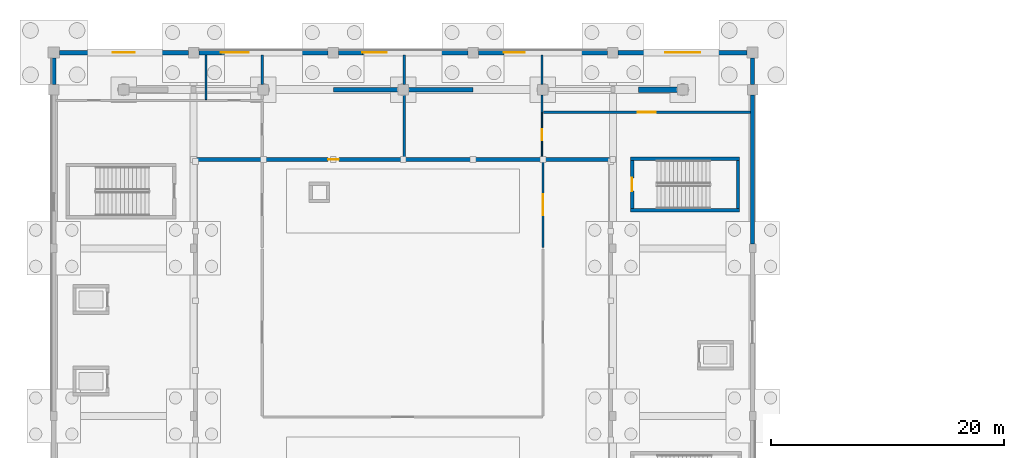
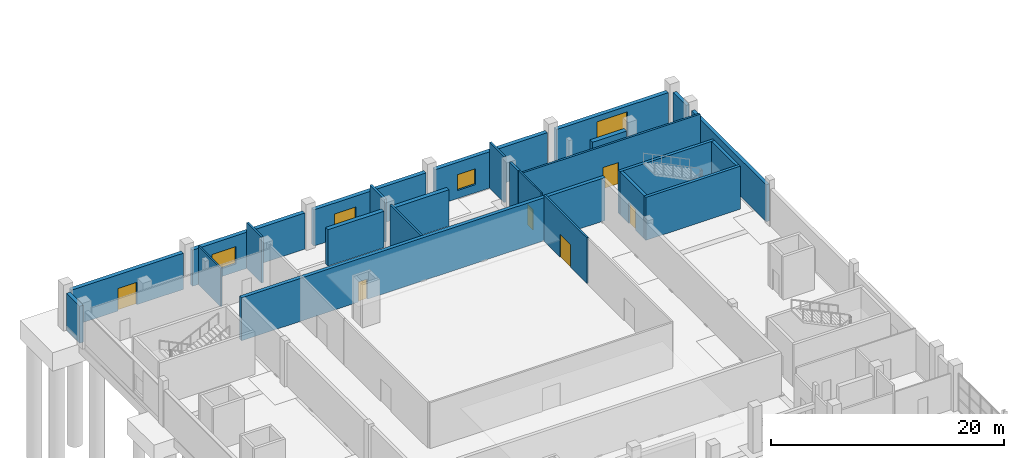
# One storey, part 61 of 82: 25 walls, 7 doors, 3 windows, 10 openings.
"""IFC4 building model written with IfcOpenShell, lengths in metres."""

import ifcopenshell
import ifcopenshell.guid

model = None  # the IFC model being written
_history = None  # IfcOwnerHistory: only IFC2X3 demands one
_inside = {}  # id of a spatial element -> (the spatial element, [elements in it])
_under = {}  # id of a project, library or spatial element -> (it, [spatial elements below it])
_declared = {}  # id of a project -> (the project, [libraries it declares])
_typed = {}  # id of a type object -> (the type object, [elements of that type])
_made_of = {}  # id of a material, layer set ... -> (it, [elements and type objects made of it])


def new_model(schema):
    """Start an empty IFC model of exactly this schema.

    Asked for "IFC4X3", IfcOpenShell would pick the latest addendum, in which some entities
    have other attributes; the version numbers below select the first issue.
    IFC2X3 requires an IfcOwnerHistory on every rooted entity: one is made here for all.
    """
    global model, _history
    if schema == "IFC4X3":
        model = ifcopenshell.file(schema_version=(4, 3, 0, 0))
    else:
        model = ifcopenshell.file(schema=schema)
    _inside.clear()
    _under.clear()
    _declared.clear()
    _typed.clear()
    _made_of.clear()
    _history = None
    if model.schema == "IFC2X3":
        org = make("IfcOrganization", Name="unknown")
        user = make(
            "IfcPersonAndOrganization",
            ThePerson=make("IfcPerson", FamilyName="unknown"),
            TheOrganization=org,
        )
        app = make(
            "IfcApplication",
            ApplicationDeveloper=org,
            Version="unknown",
            ApplicationFullName="unknown",
            ApplicationIdentifier="unknown",
        )
        _history = make(
            "IfcOwnerHistory",
            OwningUser=user,
            OwningApplication=app,
            ChangeAction="ADDED",
            CreationDate=0,
        )
    return model


def make(cls, **values):
    """One entity of the class cls with the attributes given. An attribute that is None is left unset."""
    return model.create_entity(
        cls, **{name: value for name, value in values.items() if value is not None}
    )


def rooted(cls, **values):
    """An entity with a GlobalId (a new one), such as an element, a storey or a relation."""
    return make(cls, GlobalId=ifcopenshell.guid.new(), OwnerHistory=_history, **values)


def si_unit(unit_type, name, prefix=None):
    """IfcSIUnit, for example si_unit("LENGTHUNIT", "METRE", prefix="MILLI")."""
    return make("IfcSIUnit", UnitType=unit_type, Prefix=prefix, Name=name)


def assignment(units):
    """IfcUnitAssignment: the units of a project."""
    return None if units is None else make("IfcUnitAssignment", Units=units)


def point(xyz):
    """IfcCartesianPoint."""
    return None if xyz is None else make("IfcCartesianPoint", Coordinates=xyz)


def direction(xyz):
    """IfcDirection."""
    return None if xyz is None else make("IfcDirection", DirectionRatios=xyz)


def frame(location, z_axis=None, x_axis=None):
    """IfcAxis2Placement3D, a coordinate frame: its origin and axes. An axis left out is left unset."""
    return make(
        "IfcAxis2Placement3D",
        Location=point(location),
        Axis=direction(z_axis),
        RefDirection=direction(x_axis),
    )


def frame_2d(location, x_axis=None):
    """IfcAxis2Placement2D, a coordinate frame in the plane: its origin and x axis."""
    return make(
        "IfcAxis2Placement2D", Location=point(location), RefDirection=direction(x_axis)
    )


def origin():
    """The frame at (0, 0, 0) with its axes left unset."""
    return frame((0.0, 0.0, 0.0))


def place(relative_to, where):
    """IfcLocalPlacement: puts the frame where relative to a parent placement (None: the world)."""
    return make(
        "IfcLocalPlacement", PlacementRelTo=relative_to, RelativePlacement=where
    )


def context(
    kind, dimensions, precision=None, world=None, true_north=None, identifier=None
):
    """IfcGeometricRepresentationContext, for example the 3D "Model" context."""
    return make(
        "IfcGeometricRepresentationContext",
        ContextIdentifier=identifier,
        ContextType=kind,
        CoordinateSpaceDimension=dimensions,
        Precision=precision,
        WorldCoordinateSystem=world,
        TrueNorth=true_north,
    )


def subcontext(parent, identifier, kind, view, scale=None):
    """IfcGeometricRepresentationSubContext, for example "Body" below "Model"."""
    return make(
        "IfcGeometricRepresentationSubContext",
        ContextIdentifier=identifier,
        ContextType=kind,
        ParentContext=parent,
        TargetScale=scale,
        TargetView=view,
    )


def project(units=None, contexts=None):
    """IfcProject with its units and contexts."""
    return rooted(
        "IfcProject",
        Name="project",
        RepresentationContexts=contexts,
        UnitsInContext=assignment(units),
    )


def spatial(cls, under=None, at=None, **own):
    """A site, building, storey or space (cls), placed at a placement, below another one or the project."""
    s = rooted(cls, ObjectPlacement=at, **own)
    if under is not None:
        _under.setdefault(under.id(), (under, []))[1].append(s)
    return s


def profile(cls, at=None, kind="AREA", **sizes):
    """A parametric profile (cls). Its sizes go by their IFC names, for example OverallWidth=200.0."""
    return make(cls, ProfileType=kind, Position=at, **sizes)


def rectangle(**sizes):
    """IfcRectangleProfileDef."""
    return profile("IfcRectangleProfileDef", **sizes)


def extrude(swept, where, along, depth):
    """IfcExtrudedAreaSolid: the profile swept, set in the frame where, extruded along a direction by depth."""
    return make(
        "IfcExtrudedAreaSolid",
        SweptArea=swept,
        Position=where,
        ExtrudedDirection=direction(along),
        Depth=depth,
    )


def shape(context_of_items, identifier, shape_type, items):
    """IfcShapeRepresentation: the items that make up one representation, for example the "Body"."""
    return make(
        "IfcShapeRepresentation",
        ContextOfItems=context_of_items,
        RepresentationIdentifier=identifier,
        RepresentationType=shape_type,
        Items=items,
    )


def material(Name=None, Category=None):
    """IfcMaterial."""
    return make("IfcMaterial", Name=Name, Category=Category)


def layer(
    of_material, thickness, ventilated=None, Name=None, Category=None, Priority=None
):
    """IfcMaterialLayer: one layer of a wall or slab, of a material (None: an air gap)."""
    return make(
        "IfcMaterialLayer",
        Material=of_material,
        LayerThickness=thickness,
        IsVentilated=ventilated,
        Name=Name,
        Category=Category,
        Priority=Priority,
    )


def layer_set(layers, Name=None):
    """IfcMaterialLayerSet."""
    return make("IfcMaterialLayerSet", MaterialLayers=layers, LayerSetName=Name)


def made_of(thing, what):
    """Note that an element or type object is made of a material, layer set ...; save() writes the relation."""
    if what is not None:
        _made_of.setdefault(what.id(), (what, []))[1].append(thing)
    return thing


def type_object(cls, material=None, **own):
    """A type object (cls), such as IfcWallType, which elements share."""
    return made_of(rooted(cls, **own), material)


def element(
    cls,
    number,
    at=None,
    inside=None,
    cuts=None,
    type_object=None,
    material=None,
    context=None,
    identifier="Body",
    shape_type=None,
    held_by="IfcProductDefinitionShape",
    body=None,
    shapes=None,
    **own,
):
    """One element of the class cls, such as IfcWall. Its Tag is "e" and its number.

    at: its placement. inside: the storey or other place that contains it. cuts: it is an
    opening in that element (IfcRelVoidsElement). A single representation is given by context,
    identifier, shape_type and body (its items); several are given by shapes. held_by: the class
    of the entity that holds the representations. save() writes the other relations.
    """
    e = rooted(cls, Tag="e%d" % number, ObjectPlacement=at, **own)
    if body is not None:
        shapes = [shape(context, identifier, shape_type, body)]
    if shapes is not None:
        e.Representation = make(held_by, Representations=shapes)
    if inside is not None:
        _inside.setdefault(inside.id(), (inside, []))[1].append(e)
    if cuts is not None:
        rooted(
            "IfcRelVoidsElement", RelatingBuildingElement=cuts, RelatedOpeningElement=e
        )
    if type_object is not None:
        _typed.setdefault(type_object.id(), (type_object, []))[1].append(e)
    return made_of(e, material)


def fill(opening, filler):
    """IfcRelFillsElement: the door or window that sits in an opening."""
    return rooted(
        "IfcRelFillsElement",
        RelatingOpeningElement=opening,
        RelatedBuildingElement=filler,
    )


def aggregate(whole, parts):
    """IfcRelAggregates: a whole, such as a stair, and the parts it consists of."""
    return rooted("IfcRelAggregates", RelatingObject=whole, RelatedObjects=parts)


def save(model, path):
    """Write the relations noted so far, then the file.

    IfcRelAggregates (storeys below a building ...), IfcRelContainedInSpatialStructure (elements
    in a storey), IfcRelDefinesByType, IfcRelAssociatesMaterial and IfcRelDeclares: one each for
    every whole, place, type object, material and project.
    """
    for whole, parts in _under.values():
        aggregate(whole, parts)
    for where, things in _inside.values():
        rooted(
            "IfcRelContainedInSpatialStructure",
            RelatedElements=things,
            RelatingStructure=where,
        )
    for kind, things in _typed.values():
        rooted("IfcRelDefinesByType", RelatedObjects=things, RelatingType=kind)
    for what, things in _made_of.values():
        rooted("IfcRelAssociatesMaterial", RelatedObjects=things, RelatingMaterial=what)
    for by, libraries in _declared.values():
        rooted("IfcRelDeclares", RelatingContext=by, RelatedDefinitions=libraries)
    model.write(path)


model = new_model("IFC4")

# Units and contexts
model_context = context("Model", 3, precision=1e-05, world=origin(), true_north=direction((0.0, 1.0)))
body_context = subcontext(model_context, "Body", "Model", "MODEL_VIEW")
ifc_project = project(units=[si_unit("LENGTHUNIT", "METRE"), si_unit("AREAUNIT", "SQUARE_METRE"), si_unit("VOLUMEUNIT", "CUBIC_METRE"), si_unit("PLANEANGLEUNIT", "RADIAN"), si_unit("MASSUNIT", "GRAM", prefix="KILO")], contexts=[model_context])

# Site, building, storey
site_placement = place(None, origin())
site = spatial("IfcSite", under=ifc_project, at=site_placement, CompositionType="ELEMENT")
building_placement = place(site_placement, origin())
building = spatial("IfcBuilding", under=site, at=building_placement, Name="Kelmvaro Bay Concert Hall", CompositionType="ELEMENT")
storey_placement = place(building_placement, origin())
storey = spatial("IfcBuildingStorey", under=building, at=storey_placement, Name="L00", CompositionType="ELEMENT", Elevation=0.0)

# Walls
ifc_material_1 = material(Name="Acoustic Gypsum Board on Galvanised Steel Studs", Category="steel")
ifc_layer_1 = layer(ifc_material_1, 0.199951171875)
ifc_layer_set_1 = layer_set([ifc_layer_1], Name="Acoustic Gypsum Board on Galvanised Steel Studs")
wall_type_1 = type_object("IfcWallType", Name="Double-Stud Acoustic Studio Partition 200", PredefinedType="PARTITIONING", material=ifc_layer_set_1)
wall_1_placement = place(storey_placement, frame((17.89990234375, 111.278076171875, 0.0), z_axis=(0.0, 0.0, 1.0), x_axis=(0.0, 1.0, 0.0)))
element("IfcWall", 1, at=wall_1_placement, inside=storey, type_object=wall_type_1, Name="L00 Interior Partition PT-L00-0021", PredefinedType="PARTITIONING", context=body_context, shape_type="SweptSolid", body=[
    extrude(rectangle(XDim=2.511962890625, YDim=0.199951171875, at=frame_2d((1.255859375, 0.0))), origin(), (0.0, 0.0, 1.0), 4.800048828125),
])
wall_2_placement = place(storey_placement, frame((30.080078125, 105.0048828125, 0.0), z_axis=(0.0, 0.0, 1.0), x_axis=(0.0, 1.0, 0.0)))
element("IfcWall", 2, at=wall_2_placement, inside=storey, type_object=wall_type_1, Name="L00 Interior Partition PT-L00-0022", PredefinedType="PARTITIONING", context=body_context, shape_type="SweptSolid", body=[
    extrude(rectangle(XDim=5.357177734375, YDim=0.199951171875, at=frame_2d((2.6787109375, 0.0))), origin(), (0.0, 0.0, 1.0), 4.47998046875),
])
wall_3_placement = place(storey_placement, frame((30.080078125, 111.278076171875, 0.0), z_axis=(0.0, 0.0, 1.0), x_axis=(0.0, 1.0, 0.0)))
element("IfcWall", 3, at=wall_3_placement, inside=storey, type_object=wall_type_1, Name="L00 Interior Partition PT-L00-0023", PredefinedType="PARTITIONING", context=body_context, shape_type="SweptSolid", body=[
    extrude(rectangle(XDim=2.511962890625, YDim=0.199951171875, at=frame_2d((1.255859375, 0.0))), origin(), (0.0, 0.0, 1.0), 4.47998046875),
])
wall_4_placement = place(storey_placement, frame((41.919921875, 108.875, 0.0), z_axis=(0.0, 0.0, 1.0), x_axis=(0.0, 1.0, 0.0)))
element("IfcWall", 4, at=wall_4_placement, inside=storey, type_object=wall_type_1, Name="L00 Interior Partition PT-L00-0025", PredefinedType="PARTITIONING", context=body_context, shape_type="SweptSolid", body=[
    extrude(rectangle(XDim=1.487060546875, YDim=0.199951171875, at=frame_2d((0.74365234375, 0.0))), origin(), (0.0, 0.0, 1.0), 4.800048828125),
])
wall_5_placement = place(storey_placement, frame((41.919921875, 111.278076171875, 0.0), z_axis=(0.0, 0.0, 1.0), x_axis=(0.0, 1.0, 0.0)))
element("IfcWall", 5, at=wall_5_placement, inside=storey, type_object=wall_type_1, Name="L00 Interior Partition PT-L00-0026", PredefinedType="PARTITIONING", context=body_context, shape_type="SweptSolid", body=[
    extrude(rectangle(XDim=2.511962890625, YDim=0.199951171875, at=frame_2d((1.255859375, 0.0))), origin(), (0.0, 0.0, 1.0), 4.800048828125),
])

# Wall, opening, door
wall_6_placement = place(storey_placement, frame((42.030029296875, 108.8798828125, 0.0), z_axis=(0.0, 0.0, 1.0), x_axis=(1.0, 0.0, 0.0)))
wall_6 = element("IfcWall", 6, at=wall_6_placement, inside=storey, type_object=wall_type_1, Name="L00 Interior Partition PT-L00-0027", PredefinedType="PARTITIONING", context=body_context, shape_type="SweptSolid", body=[
    extrude(rectangle(XDim=17.7900390625, YDim=0.199951171875, at=frame_2d((8.89501953125, 0.0))), origin(), (0.0, 0.0, 1.0), 4.47998046875),
])
opening_1_placement = place(wall_6_placement, frame((8.114990234375, 0.0, 0.0)))
opening_1 = element("IfcOpeningElement", 7, at=opening_1_placement, cuts=wall_6, Name="Opening ID-PL1", PredefinedType="OPENING", context=body_context, shape_type="SweptSolid", body=[
    extrude(rectangle(XDim=1.56005859375, YDim=2.260009765625, at=frame_2d((0.780029296875, 1.1298828125))), frame((0.0, 0.10986328125, 0.0), z_axis=(0.0, -1.0, 0.0), x_axis=(1.0, 0.0, 0.0)), (0.0, 0.0, 1.0), 0.219970703125),
])
ifc_material_2 = material(Name="Insulated Galvanised Steel", Category="steel")
door_type_1 = type_object("IfcDoorType", Name="Acoustic Plant Double Louvred Door 1560x2260", OperationType="NOTDEFINED", PredefinedType="DOOR", material=ifc_material_2)
door_1_placement = place(opening_1_placement, origin())
door_1 = element("IfcDoor", 8, at=door_1_placement, inside=storey, type_object=door_type_1, Name="L00 Interior Door DR-INT-L00-0015", OperationType="DOUBLE_DOOR_SINGLE_SWING", OverallHeight=2.260009765625, OverallWidth=1.56005859375, PredefinedType="DOOR", context=body_context, shape_type="SweptSolid", body=[
    extrude(rectangle(XDim=1.56005859375, YDim=2.260009765625, at=frame_2d((0.780029296875, 1.1298828125))), frame((0.0, 0.02490234375, 0.0), z_axis=(0.0, -1.0, 0.0), x_axis=(1.0, 0.0, 0.0)), (0.0, 0.0, 1.0), 0.050048828125),
])
fill(opening_1, door_1)

ifc_material_3 = material(Name="Precast Concrete C40/50", Category="concrete")
ifc_layer_2 = layer(ifc_material_3, 0.39990234375)
ifc_layer_set_2 = layer_set([ifc_layer_2], Name="Precast Concrete C40/50")
wall_type_2 = type_object("IfcWallType", Name="Heavy Symphony Acoustic Facade Wall 400", PredefinedType="SOLIDWALL", material=ifc_layer_set_2)
wall_7_placement = place(storey_placement, frame((0.47509765625, 114.0, 0.0), z_axis=(0.0, 0.0, 1.0), x_axis=(1.0, 0.0, 0.0)))
wall_7 = element("IfcWall", 9, at=wall_7_placement, inside=storey, type_object=wall_type_2, Name="L00 Exterior Wall EW-L00-0001", PredefinedType="SOLIDWALL", context=body_context, shape_type="SweptSolid", body=[
    extrude(rectangle(XDim=11.074951171875, YDim=0.39990234375, at=frame_2d((5.53759765625, 0.0))), origin(), (0.0, 0.0, 1.0), 3.787109375),
])
opening_2_placement = place(wall_7_placement, frame((4.58740234375, 0.0, 0.0)))
opening_2 = element("IfcOpeningElement", 10, at=opening_2_placement, cuts=wall_7, Name="Opening ED-190", PredefinedType="OPENING", context=body_context, shape_type="SweptSolid", body=[
    extrude(rectangle(XDim=1.89990234375, YDim=2.35009765625, at=frame_2d((0.949951171875, 1.175048828125))), frame((0.0, 0.2099609375, 0.0), z_axis=(0.0, -1.0, 0.0), x_axis=(1.0, 0.0, 0.0)), (0.0, 0.0, 1.0), 0.419921875),
])
ifc_material_4 = material(Name="Thermally Broken Aluminium and Laminated Safety Glass", Category="aluminium")
door_type_2 = type_object("IfcDoorType", Name="Pavilion Discharge Double Door 1900x2350", OperationType="NOTDEFINED", PredefinedType="DOOR", material=ifc_material_4)
door_2_placement = place(opening_2_placement, origin())
door_2 = element("IfcDoor", 11, at=door_2_placement, inside=storey, type_object=door_type_2, Name="L00 Exterior Door DR-EXT-L00-001", OperationType="DOUBLE_DOOR_SINGLE_SWING", OverallHeight=2.35009765625, OverallWidth=1.89990234375, PredefinedType="DOOR", context=body_context, shape_type="SweptSolid", body=[
    extrude(rectangle(XDim=1.89990234375, YDim=2.35009765625, at=frame_2d((0.949951171875, 1.175048828125))), frame((0.0, 0.02490234375, 0.0), z_axis=(0.0, -1.0, 0.0), x_axis=(1.0, 0.0, 0.0)), (0.0, 0.0, 1.0), 0.050048828125),
])
fill(opening_2, door_2)

# Wall, opening, window
wall_8_placement = place(storey_placement, frame((12.449951171875, 114.0, 0.0), z_axis=(0.0, 0.0, 1.0), x_axis=(1.0, 0.0, 0.0)))
wall_8 = element("IfcWall", 12, at=wall_8_placement, inside=storey, type_object=wall_type_2, Name="L00 Exterior Wall EW-L00-0002", PredefinedType="SOLIDWALL", context=body_context, shape_type="SweptSolid", body=[
    extrude(rectangle(XDim=11.10009765625, YDim=0.39990234375, at=frame_2d((5.550048828125, 0.0))), origin(), (0.0, 0.0, 1.0), 3.787109375),
])
opening_3_placement = place(wall_8_placement, frame((1.907958984375, 0.0, 0.85009765625)))
opening_3 = element("IfcOpeningElement", 13, at=opening_3_placement, cuts=wall_8, Name="Opening WN-01", PredefinedType="OPENING", context=body_context, shape_type="SweptSolid", body=[
    extrude(rectangle(XDim=2.39990234375, YDim=1.800048828125, at=frame_2d((1.199951171875, 0.89990234375))), frame((0.0, 0.2099609375, 0.0), z_axis=(0.0, -1.0, 0.0), x_axis=(1.0, 0.0, 0.0)), (0.0, 0.0, 1.0), 0.419921875),
])
ifc_material_5 = material(Name="Thermally Broken Aluminium and Acoustic Low-E Glass", Category="aluminium")
window_type_1 = type_object("IfcWindowType", Name="Bauhaus Ribbon Window 2400x1800", PartitioningType="SINGLE_PANEL", PredefinedType="WINDOW", material=ifc_material_5)
window_1_placement = place(opening_3_placement, origin())
window_1 = element("IfcWindow", 14, at=window_1_placement, inside=storey, type_object=window_type_1, Name="L00 Facade Window WN-L00-0001", OverallHeight=1.800048828125, OverallWidth=2.39990234375, PartitioningType="SINGLE_PANEL", PredefinedType="WINDOW", context=body_context, shape_type="SweptSolid", body=[
    extrude(rectangle(XDim=2.39990234375, YDim=1.800048828125, at=frame_2d((1.199951171875, 0.89990234375))), frame((0.0, 0.030029296875, 0.0), z_axis=(0.0, -1.0, 0.0), x_axis=(1.0, 0.0, 0.0)), (0.0, 0.0, 1.0), 0.06005859375),
])
fill(opening_3, window_1)

wall_9_placement = place(storey_placement, frame((24.449951171875, 114.0, 0.0), z_axis=(0.0, 0.0, 1.0), x_axis=(1.0, 0.0, 0.0)))
wall_9 = element("IfcWall", 15, at=wall_9_placement, inside=storey, type_object=wall_type_2, Name="L00 Exterior Wall EW-L00-0003", PredefinedType="SOLIDWALL", context=body_context, shape_type="SweptSolid", body=[
    extrude(rectangle(XDim=11.10009765625, YDim=0.39990234375, at=frame_2d((5.550048828125, 0.0))), origin(), (0.0, 0.0, 1.0), 3.787109375),
])
opening_4_placement = place(wall_9_placement, frame((2.05810546875, 0.0, 0.85009765625)))
opening_4 = element("IfcOpeningElement", 16, at=opening_4_placement, cuts=wall_9, Name="Opening WN-02", PredefinedType="OPENING", context=body_context, shape_type="SweptSolid", body=[
    extrude(rectangle(XDim=2.10009765625, YDim=1.800048828125, at=frame_2d((1.050048828125, 0.89990234375))), frame((0.0, 0.2099609375, 0.0), z_axis=(0.0, -1.0, 0.0), x_axis=(1.0, 0.0, 0.0)), (0.0, 0.0, 1.0), 0.419921875),
])
ifc_material_6 = material(Name="Thermally Broken Aluminium and Acoustic Low-E Glass", Category="aluminium")
window_type_2 = type_object("IfcWindowType", Name="Bauhaus Ribbon Window 2100x1800", PartitioningType="SINGLE_PANEL", PredefinedType="WINDOW", material=ifc_material_6)
window_2_placement = place(opening_4_placement, origin())
window_2 = element("IfcWindow", 17, at=window_2_placement, inside=storey, type_object=window_type_2, Name="L00 Facade Window WN-L00-0002", OverallHeight=1.800048828125, OverallWidth=2.10009765625, PartitioningType="SINGLE_PANEL", PredefinedType="WINDOW", context=body_context, shape_type="SweptSolid", body=[
    extrude(rectangle(XDim=2.10009765625, YDim=1.800048828125, at=frame_2d((1.050048828125, 0.89990234375))), frame((0.0, 0.030029296875, 0.0), z_axis=(0.0, -1.0, 0.0), x_axis=(1.0, 0.0, 0.0)), (0.0, 0.0, 1.0), 0.06005859375),
])
fill(opening_4, window_2)

wall_10_placement = place(storey_placement, frame((36.449951171875, 114.0, 0.0), z_axis=(0.0, 0.0, 1.0), x_axis=(1.0, 0.0, 0.0)))
wall_10 = element("IfcWall", 18, at=wall_10_placement, inside=storey, type_object=wall_type_2, Name="L00 Exterior Wall EW-L00-0004", PredefinedType="SOLIDWALL", context=body_context, shape_type="SweptSolid", body=[
    extrude(rectangle(XDim=11.10009765625, YDim=0.39990234375, at=frame_2d((5.550048828125, 0.0))), origin(), (0.0, 0.0, 1.0), 3.787109375),
])
opening_5_placement = place(wall_10_placement, frame((2.2080078125, 0.0, 0.85009765625)))
opening_5 = element("IfcOpeningElement", 19, at=opening_5_placement, cuts=wall_10, Name="Opening WN-03", PredefinedType="OPENING", context=body_context, shape_type="SweptSolid", body=[
    extrude(rectangle(XDim=1.800048828125, YDim=1.64990234375, at=frame_2d((0.89990234375, 0.824951171875))), frame((0.0, 0.2099609375, 0.0), z_axis=(0.0, -1.0, 0.0), x_axis=(1.0, 0.0, 0.0)), (0.0, 0.0, 1.0), 0.419921875),
])
ifc_material_7 = material(Name="Thermally Broken Aluminium and Acoustic Low-E Glass", Category="aluminium")
window_type_3 = type_object("IfcWindowType", Name="Practice Studio Acoustic Window 1800x1650", PartitioningType="SINGLE_PANEL", PredefinedType="WINDOW", material=ifc_material_7)
window_3_placement = place(opening_5_placement, origin())
window_3 = element("IfcWindow", 20, at=window_3_placement, inside=storey, type_object=window_type_3, Name="L00 Facade Window WN-L00-0003", OverallHeight=1.64990234375, OverallWidth=1.800048828125, PartitioningType="SINGLE_PANEL", PredefinedType="WINDOW", context=body_context, shape_type="SweptSolid", body=[
    extrude(rectangle(XDim=1.800048828125, YDim=1.64990234375, at=frame_2d((0.89990234375, 0.824951171875))), frame((0.0, 0.030029296875, 0.0), z_axis=(0.0, -1.0, 0.0), x_axis=(1.0, 0.0, 0.0)), (0.0, 0.0, 1.0), 0.06005859375),
])
fill(opening_5, window_3)

# Wall, opening, door
wall_11_placement = place(storey_placement, frame((48.449951171875, 114.0, 0.0), z_axis=(0.0, 0.0, 1.0), x_axis=(1.0, 0.0, 0.0)))
wall_11 = element("IfcWall", 21, at=wall_11_placement, inside=storey, type_object=wall_type_2, Name="L00 Exterior Wall EW-L00-0005", PredefinedType="SOLIDWALL", context=body_context, shape_type="SweptSolid", body=[
    extrude(rectangle(XDim=11.074951171875, YDim=0.39990234375, at=frame_2d((5.53759765625, 0.0))), origin(), (0.0, 0.0, 1.0), 3.787109375),
])
opening_6_placement = place(wall_11_placement, frame((4.03759765625, 0.0, 0.0)))
opening_6 = element("IfcOpeningElement", 22, at=opening_6_placement, cuts=wall_11, Name="Opening LD-300", PredefinedType="OPENING", context=body_context, shape_type="SweptSolid", body=[
    extrude(rectangle(XDim=3.0, YDim=3.199951171875, at=frame_2d((1.5, 1.60009765625))), frame((0.0, 0.2099609375, 0.0), z_axis=(0.0, -1.0, 0.0), x_axis=(1.0, 0.0, 0.0)), (0.0, 0.0, 1.0), 0.419921875),
])
ifc_material_8 = material(Name="Acoustic Insulated Galvanised Steel", Category="steel")
door_type_3 = type_object("IfcDoorType", Name="Acoustic Stage Loading Dock Shutter 3000x3200", OperationType="NOTDEFINED", PredefinedType="DOOR", material=ifc_material_8)
door_3_placement = place(opening_6_placement, origin())
door_3 = element("IfcDoor", 23, at=door_3_placement, inside=storey, type_object=door_type_3, Name="L00 Exterior Door DR-EXT-L00-002", OperationType="ROLLINGUP", OverallHeight=3.199951171875, OverallWidth=3.0, PredefinedType="DOOR", context=body_context, shape_type="SweptSolid", body=[
    extrude(rectangle(XDim=3.0, YDim=3.199951171875, at=frame_2d((1.5, 1.60009765625))), frame((0.0, 0.02490234375, 0.0), z_axis=(0.0, -1.0, 0.0), x_axis=(1.0, 0.0, 0.0)), (0.0, 0.0, 1.0), 0.050048828125),
])
fill(opening_6, door_3)

ifc_material_9 = material(Name="Concrete C40/50", Category="concrete")
ifc_layer_3 = layer(ifc_material_9, 0.35009765625)
ifc_layer_set_3 = layer_set([ifc_layer_3], Name="Concrete C40/50")
wall_type_3 = type_object("IfcWallType", Name="Inner Floating Box Shear Wall 350", PredefinedType="SHEAR", material=ifc_layer_set_3)
wall_12_placement = place(storey_placement, frame((12.0048828125, 104.820068359375, 0.0), z_axis=(0.0, 0.0, 1.0), x_axis=(1.0, 0.0, 0.0)))
wall_12 = element("IfcWall", 24, at=wall_12_placement, inside=storey, type_object=wall_type_3, Name="L00 V1 Acoustic Inner Box Wall N", PredefinedType="SHEAR", context=body_context, shape_type="SweptSolid", body=[
    extrude(rectangle(XDim=35.990234375, YDim=0.35009765625, at=frame_2d((17.9951171875, 0.0))), origin(), (0.0, 0.0, 1.0), 4.5),
])
opening_7_placement = place(wall_12_placement, frame((11.5576171875, 0.0, 0.0)))
opening_7 = element("IfcOpeningElement", 25, at=opening_7_placement, cuts=wall_12, Name="Opening ID-PL2", PredefinedType="OPENING", context=body_context, shape_type="SweptSolid", body=[
    extrude(rectangle(XDim=0.909912109375, YDim=2.10009765625, at=frame_2d((0.455078125, 1.050048828125))), frame((0.0, 0.18505859375, 0.0), z_axis=(0.0, -1.0, 0.0), x_axis=(1.0, 0.0, 0.0)), (0.0, 0.0, 1.0), 0.3701171875),
])
ifc_material_10 = material(Name="Fire-Rated Galvanised Steel", Category="steel")
door_type_4 = type_object("IfcDoorType", Name="Fire Command and Storage Door 910x2100", OperationType="NOTDEFINED", PredefinedType="DOOR", material=ifc_material_10)
door_4_placement = place(opening_7_placement, origin())
door_4 = element("IfcDoor", 26, at=door_4_placement, inside=storey, type_object=door_type_4, Name="L00 Interior Door DR-INT-L00-0005", OperationType="SINGLE_SWING_LEFT", OverallHeight=2.10009765625, OverallWidth=0.909912109375, PredefinedType="DOOR", context=body_context, shape_type="SweptSolid", body=[
    extrude(rectangle(XDim=0.909912109375, YDim=2.10009765625, at=frame_2d((0.455078125, 1.050048828125))), frame((0.0, 0.02490234375, 0.0), z_axis=(0.0, -1.0, 0.0), x_axis=(1.0, 0.0, 0.0)), (0.0, 0.0, 1.0), 0.050048828125),
])
fill(opening_7, door_4)

# Walls
ifc_material_11 = material(Name="Precast Concrete C40/50", Category="concrete")
ifc_layer_4 = layer(ifc_material_11, 0.340087890625)
ifc_layer_set_4 = layer_set([ifc_layer_4], Name="Precast Concrete C40/50")
wall_type_4 = type_object("IfcWallType", Name="Main Hall Faceted Precast Wall 340", PredefinedType="SOLIDWALL", material=ifc_layer_set_4)
wall_13_placement = place(storey_placement, frame((60.0, 113.52490234375, 0.0), z_axis=(0.0, 0.0, 1.0), x_axis=(0.0, -1.0, 0.0)))
element("IfcWall", 27, at=wall_13_placement, inside=storey, type_object=wall_type_4, Name="L00 Exterior Wall EW-L00-0014", PredefinedType="SOLIDWALL", context=body_context, shape_type="SweptSolid", body=[
    extrude(rectangle(XDim=2.2548828125, YDim=0.340087890625, at=frame_2d((1.12744140625, 0.0))), origin(), (0.0, 0.0, 1.0), 3.867919921875),
])
wall_14_placement = place(storey_placement, frame((60.0, 110.3701171875, 0.0), z_axis=(0.0, 0.0, 1.0), x_axis=(0.0, -1.0, 0.0)))
element("IfcWall", 28, at=wall_14_placement, inside=storey, type_object=wall_type_4, Name="L00 Exterior Wall EW-L00-0015", PredefinedType="SOLIDWALL", context=body_context, shape_type="SweptSolid", body=[
    extrude(rectangle(XDim=12.795166015625, YDim=0.340087890625, at=frame_2d((6.3974609375, 0.0))), origin(), (0.0, 0.0, 1.0), 3.868896484375),
])
ifc_material_12 = material(Name="Concrete C40/50", Category="concrete")
ifc_layer_5 = layer(ifc_material_12, 0.449951171875)
ifc_layer_set_5 = layer_set([ifc_layer_5], Name="Concrete C40/50")
wall_type_5 = type_object("IfcWallType", Name="Outer Acoustic Box Shear Wall 450", PredefinedType="SHEAR", material=ifc_layer_set_5)
wall_15_placement = place(storey_placement, frame((50.199951171875, 110.820068359375, 0.0), z_axis=(0.0, 0.0, 1.0), x_axis=(1.0, 0.0, 0.0)))
element("IfcWall", 29, at=wall_15_placement, inside=storey, type_object=wall_type_5, Name="L00 Shell Springing Shear Wall N4", PredefinedType="SHEAR", context=body_context, shape_type="SweptSolid", body=[
    extrude(rectangle(XDim=3.35009765625, YDim=0.449951171875, at=frame_2d((1.675048828125, 0.0))), origin(), (0.0, 0.0, 1.0), 3.804931640625),
])

# Wall, opening, door
ifc_material_13 = material(Name="Acoustic Gypsum Board on Galvanised Steel Studs", Category="steel")
ifc_layer_6 = layer(ifc_material_13, 0.179931640625)
ifc_layer_set_6 = layer_set([ifc_layer_6], Name="Acoustic Gypsum Board on Galvanised Steel Studs")
wall_type_6 = type_object("IfcWallType", Name="Rehearsal Suite Acoustic Partition 180", PredefinedType="PARTITIONING", material=ifc_layer_set_6)
wall_16_placement = place(storey_placement, frame((42.0, 97.25, 0.0), z_axis=(0.0, 0.0, 1.0), x_axis=(0.0, 1.0, 0.0)))
wall_16 = element("IfcWall", 30, at=wall_16_placement, inside=storey, type_object=wall_type_6, Name="L00 Interior Partition PT-L00-0005", PredefinedType="PARTITIONING", context=body_context, shape_type="SweptSolid", body=[
    extrude(rectangle(XDim=7.385009765625, YDim=0.179931640625, at=frame_2d((3.6923828125, 0.0))), origin(), (0.0, 0.0, 1.0), 4.800048828125),
])
opening_8_placement = place(wall_16_placement, frame((2.79248046875, 0.0, 0.0)))
opening_8 = element("IfcOpeningElement", 31, at=opening_8_placement, cuts=wall_16, Name="Opening ID-AC1", PredefinedType="OPENING", context=body_context, shape_type="SweptSolid", body=[
    extrude(rectangle(XDim=1.800048828125, YDim=2.3798828125, at=frame_2d((0.89990234375, 1.18994140625))), frame((0.0, 0.099853515625, 0.0), z_axis=(0.0, -1.0, 0.0), x_axis=(1.0, 0.0, 0.0)), (0.0, 0.0, 1.0), 0.199951171875),
])
ifc_material_14 = material(Name="Solid White Oak Acoustic Leaf")
door_type_5 = type_object("IfcDoorType", Name="Symphony Hall Acoustic Double Door 1800x2380", OperationType="NOTDEFINED", PredefinedType="DOOR", material=ifc_material_14)
door_5_placement = place(opening_8_placement, origin())
door_5 = element("IfcDoor", 32, at=door_5_placement, inside=storey, type_object=door_type_5, Name="L00 Interior Door DR-INT-L00-0006", OperationType="DOUBLE_DOOR_SINGLE_SWING", OverallHeight=2.3798828125, OverallWidth=1.800048828125, PredefinedType="DOOR", context=body_context, shape_type="SweptSolid", body=[
    extrude(rectangle(XDim=1.800048828125, YDim=2.3798828125, at=frame_2d((0.89990234375, 1.18994140625))), frame((0.0, 0.02490234375, 0.0), z_axis=(0.0, -1.0, 0.0), x_axis=(1.0, 0.0, 0.0)), (0.0, 0.0, 1.0), 0.050048828125),
])
fill(opening_8, door_5)

# Walls
ifc_material_15 = material(Name="Concrete C40/50", Category="concrete")
ifc_layer_7 = layer(ifc_material_15, 0.409912109375)
ifc_layer_set_7 = layer_set([ifc_layer_7], Name="Concrete C40/50")
wall_type_7 = type_object("IfcWallType", Name="Shell Springing Shear Wall 410", PredefinedType="SHEAR", material=ifc_layer_set_7)
for number, where, z_axis, x_axis, name in (
    (33, (24.0, 110.820068359375, 0.0), (0.0, 0.0, 1.0), (1.0, 0.0, 0.0), "L00 Shell Springing Shear Wall N2"),
    (34, (30.449951171875, 110.820068359375, 0.0), (0.0, 0.0, 1.0), (1.0, 0.0, 0.0), "L00 Shell Springing Shear Wall N3"),
):
    element("IfcWall", number, at=place(storey_placement, frame(where, z_axis=z_axis, x_axis=x_axis)), inside=storey, type_object=wall_type_7, Name=name, PredefinedType="SHEAR", context=body_context, shape_type="SweptSolid", body=[
        extrude(rectangle(XDim=5.550048828125, YDim=0.409912109375, at=frame_2d((2.77490234375, 0.0))), origin(), (0.0, 0.0, 1.0), 3.804931640625),
    ])
ifc_material_16 = material(Name="Concrete C40/50", Category="concrete")
ifc_layer_8 = layer(ifc_material_16, 0.2900390625)
ifc_layer_set_8 = layer_set([ifc_layer_8], Name="Concrete C40/50")
wall_type_8 = type_object("IfcWallType", Name="Stair and Lift Core Shear Wall 290", PredefinedType="SHEAR", material=ifc_layer_set_8)
for number, where, z_axis, x_axis, name in (
    (35, (49.510009765625, 100.455078125, 0.0), (0.0, 0.0, 1.0), (1.0, 0.0, 0.0), "L00 ST-02 Core Shear Wall S"),
    (36, (49.510009765625, 104.89501953125, 0.0), (0.0, 0.0, 1.0), (1.0, 0.0, 0.0), "L00 ST-02 Core Shear Wall N"),
):
    element("IfcWall", number, at=place(storey_placement, frame(where, z_axis=z_axis, x_axis=x_axis)), inside=storey, type_object=wall_type_8, Name=name, PredefinedType="SHEAR", context=body_context, shape_type="SweptSolid", body=[
        extrude(rectangle(XDim=9.3798828125, YDim=0.2900390625, at=frame_2d((4.68994140625, 0.0))), origin(), (0.0, 0.0, 1.0), 4.5),
    ])

# Wall, opening, door
wall_17_placement = place(storey_placement, frame((49.655029296875, 100.60009765625, 0.0), z_axis=(0.0, 0.0, 1.0), x_axis=(0.0, 1.0, 0.0)))
wall_17 = element("IfcWall", 37, at=wall_17_placement, inside=storey, type_object=wall_type_8, Name="L00 ST-02 Core Shear Wall W", PredefinedType="SHEAR", context=body_context, shape_type="SweptSolid", body=[
    extrude(rectangle(XDim=4.14990234375, YDim=0.2900390625, at=frame_2d((2.074951171875, 0.0))), origin(), (0.0, 0.0, 1.0), 4.5),
])
opening_9_placement = place(wall_17_placement, frame((1.5, 0.0, 0.0)))
opening_9 = element("IfcOpeningElement", 38, at=opening_9_placement, cuts=wall_17, Name="Opening ID-ST1", PredefinedType="OPENING", context=body_context, shape_type="SweptSolid", body=[
    extrude(rectangle(XDim=1.14990234375, YDim=2.14990234375, at=frame_2d((0.574951171875, 1.074951171875))), frame((0.0, 0.155029296875, 0.0), z_axis=(0.0, -1.0, 0.0), x_axis=(1.0, 0.0, 0.0)), (0.0, 0.0, 1.0), 0.31005859375),
])
ifc_material_17 = material(Name="Fire-Rated Galvanised Steel", Category="steel")
door_type_6 = type_object("IfcDoorType", Name="Exit Stair Fire Door 1150x2150", OperationType="NOTDEFINED", PredefinedType="DOOR", material=ifc_material_17)
door_6_placement = place(opening_9_placement, origin())
door_6 = element("IfcDoor", 39, at=door_6_placement, inside=storey, type_object=door_type_6, Name="L00 ST-02 Stair Fire Door", OperationType="SINGLE_SWING_RIGHT", OverallHeight=2.14990234375, OverallWidth=1.14990234375, PredefinedType="DOOR", context=body_context, shape_type="SweptSolid", body=[
    extrude(rectangle(XDim=1.14990234375, YDim=2.14990234375, at=frame_2d((0.574951171875, 1.074951171875))), frame((0.0, 0.02490234375, 0.0), z_axis=(0.0, -1.0, 0.0), x_axis=(1.0, 0.0, 0.0)), (0.0, 0.0, 1.0), 0.050048828125),
])
fill(opening_9, door_6)

# Wall
wall_18_placement = place(storey_placement, frame((58.7451171875, 100.60009765625, 0.0), z_axis=(0.0, 0.0, 1.0), x_axis=(0.0, 1.0, 0.0)))
element("IfcWall", 40, at=wall_18_placement, inside=storey, type_object=wall_type_8, Name="L00 ST-02 Core Shear Wall E", PredefinedType="SHEAR", context=body_context, shape_type="SweptSolid", body=[
    extrude(rectangle(XDim=4.14990234375, YDim=0.2900390625, at=frame_2d((2.074951171875, 0.0))), origin(), (0.0, 0.0, 1.0), 4.5),
])

# Wall, opening, door
ifc_material_18 = material(Name="Acoustic Gypsum Board on Galvanised Steel Studs", Category="steel")
ifc_layer_9 = layer(ifc_material_18, 0.1201171875)
ifc_layer_set_9 = layer_set([ifc_layer_9], Name="Acoustic Gypsum Board on Galvanised Steel Studs")
wall_type_9 = type_object("IfcWallType", Name="Standard Architectural Partition 120", PredefinedType="PARTITIONING", material=ifc_layer_set_9)
wall_19_placement = place(storey_placement, frame((41.919921875, 105.0048828125, 0.0), z_axis=(0.0, 0.0, 1.0), x_axis=(0.0, 1.0, 0.0)))
wall_19 = element("IfcWall", 41, at=wall_19_placement, inside=storey, type_object=wall_type_9, Name="L00 Interior Partition PT-L00-0024", PredefinedType="PARTITIONING", context=body_context, shape_type="SweptSolid", body=[
    extrude(rectangle(XDim=3.880126953125, YDim=0.1201171875, at=frame_2d((1.93994140625, 0.0))), origin(), (0.0, 0.0, 1.0), 4.800048828125),
])
opening_10_placement = place(wall_19_placement, frame((1.4599609375, 0.0, 0.0)))
opening_10 = element("IfcOpeningElement", 42, at=opening_10_placement, cuts=wall_19, Name="Opening ID-AD1", PredefinedType="OPENING", context=body_context, shape_type="SweptSolid", body=[
    extrude(rectangle(XDim=0.9599609375, YDim=2.159912109375, at=frame_2d((0.47998046875, 1.080078125))), frame((0.0, 0.070068359375, 0.0), z_axis=(0.0, -1.0, 0.0), x_axis=(1.0, 0.0, 0.0)), (0.0, 0.0, 1.0), 0.14013671875),
])
ifc_material_19 = material(Name="Anodised Aluminium and Glass", Category="aluminium")
door_type_7 = type_object("IfcDoorType", Name="Administration Suite Glazed Door 960x2160", OperationType="NOTDEFINED", PredefinedType="DOOR", material=ifc_material_19)
door_7_placement = place(opening_10_placement, origin())
door_7 = element("IfcDoor", 43, at=door_7_placement, inside=storey, type_object=door_type_7, Name="L00 Interior Door DR-INT-L00-0014", OperationType="SINGLE_SWING_RIGHT", OverallHeight=2.159912109375, OverallWidth=0.9599609375, PredefinedType="DOOR", context=body_context, shape_type="SweptSolid", body=[
    extrude(rectangle(XDim=0.9599609375, YDim=2.159912109375, at=frame_2d((0.47998046875, 1.080078125))), frame((0.0, 0.02490234375, 0.0), z_axis=(0.0, -1.0, 0.0), x_axis=(1.0, 0.0, 0.0)), (0.0, 0.0, 1.0), 0.050048828125),
])
fill(opening_10, door_7)

# Walls
ifc_material_20 = material(Name="Precast Concrete C40/50", Category="concrete")
ifc_layer_10 = layer(ifc_material_20, 0.360107421875)
ifc_layer_set_10 = layer_set([ifc_layer_10], Name="Precast Concrete C40/50")
wall_type_10 = type_object("IfcWallType", Name="Travertine Acoustic Precast Wall 360", PredefinedType="SOLIDWALL", material=ifc_layer_set_10)
wall_20_placement = place(storey_placement, frame((0.0, 111.27001953125, 0.0), z_axis=(0.0, 0.0, 1.0), x_axis=(0.0, 1.0, 0.0)))
element("IfcWall", 44, at=wall_20_placement, inside=storey, type_object=wall_type_10, Name="L00 Exterior Wall EW-L00-0010", PredefinedType="SOLIDWALL", context=body_context, shape_type="SweptSolid", body=[
    extrude(rectangle(XDim=2.2548828125, YDim=0.360107421875, at=frame_2d((1.12744140625, 0.0))), origin(), (0.0, 0.0, 1.0), 3.867919921875),
])
ifc_material_21 = material(Name="Acoustic Gypsum Board on Galvanised Steel Studs", Category="steel")
ifc_layer_11 = layer(ifc_material_21, 0.14990234375)
ifc_layer_set_11 = layer_set([ifc_layer_11], Name="Acoustic Gypsum Board on Galvanised Steel Studs")
wall_type_11 = type_object("IfcWallType", Name="Wet Area Moisture-Resistant Partition 150", PredefinedType="PARTITIONING", material=ifc_layer_set_11)
wall_21_placement = place(storey_placement, frame((13.080078125, 109.965087890625, 0.0), z_axis=(0.0, 0.0, 1.0), x_axis=(0.0, 1.0, 0.0)))
element("IfcWall", 45, at=wall_21_placement, inside=storey, type_object=wall_type_11, Name="L00 Interior Partition PT-L00-0019", PredefinedType="PARTITIONING", context=body_context, shape_type="SweptSolid", body=[
    extrude(rectangle(XDim=3.824951171875, YDim=0.14990234375, at=frame_2d((1.91259765625, 0.0))), origin(), (0.0, 0.0, 1.0), 4.02294921875),
])

save(model, "model.ifc")
